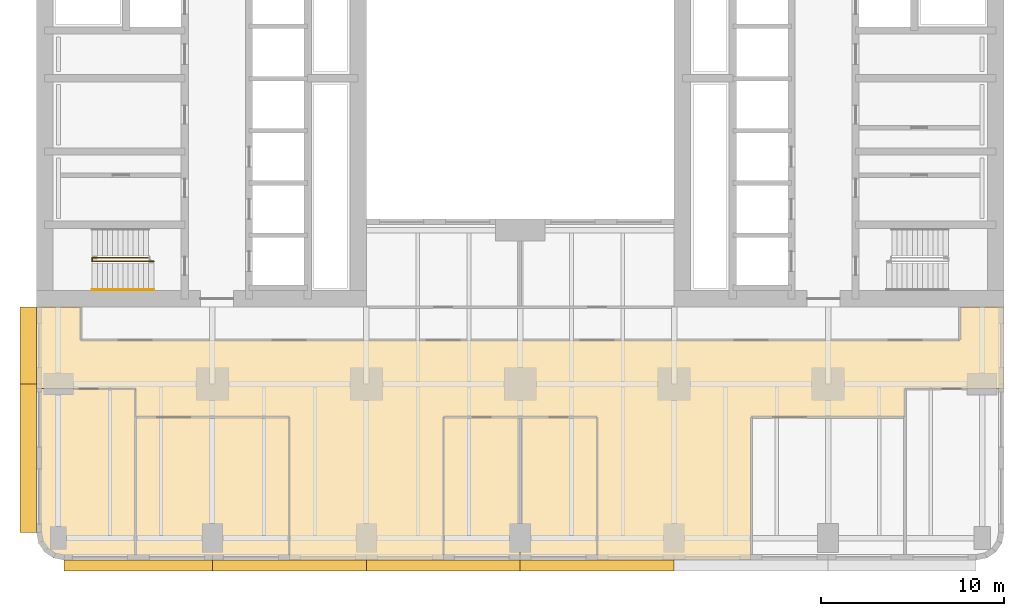
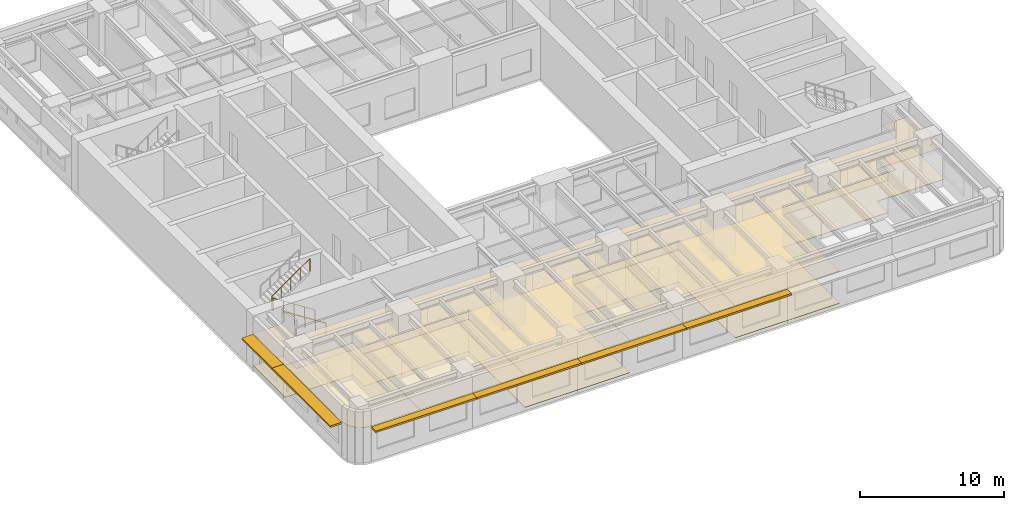
# One storey, part 9 of 14: 6 coverings, 6 shading devices, 2 railings.
"""IFC4 building model written with IfcOpenShell, lengths in metres."""

from ifc_helpers import new_model, si_unit, direction, frame, origin, origin_2d, place, context, subcontext, project, spatial, polyline, rectangle, circle, outline, extrude, material, layer, layer_set, type_object, element, save


model = new_model("IFC4")

# Units and contexts
model_context = context("Model", 3, precision=1e-05, world=origin(), true_north=direction((0.0, 1.0)))
body_context = subcontext(model_context, "Body", "Model", "MODEL_VIEW")
ifc_project = project(units=[si_unit("LENGTHUNIT", "METRE"), si_unit("AREAUNIT", "SQUARE_METRE"), si_unit("VOLUMEUNIT", "CUBIC_METRE"), si_unit("PLANEANGLEUNIT", "RADIAN"), si_unit("MASSUNIT", "GRAM", prefix="KILO")], contexts=[model_context])

# Site, building, storey
site_placement = place(None, origin())
site = spatial("IfcSite", under=ifc_project, at=site_placement, CompositionType="ELEMENT")
building_placement = place(site_placement, origin())
building = spatial("IfcBuilding", under=site, at=building_placement, Name="Claustro Exchange Tower", CompositionType="ELEMENT")
storey_placement = place(building_placement, frame((0.0, 0.0, 72.89990234375)))
storey = spatial("IfcBuildingStorey", under=building, at=storey_placement, Name="L16", CompositionType="ELEMENT", Elevation=72.89990234375)

# Coverings
ifc_material_1 = material(Name="Gypsum board ceiling", Category="gypsum board")
ifc_layer_1 = layer(ifc_material_1, 0.02490234375)
ifc_layer_set_1 = layer_set([ifc_layer_1], Name="Gypsum board ceiling")
covering_type_1 = type_object("IfcCoveringType", Name="CL2 plasterboard ceiling", PredefinedType="CEILING", material=ifc_layer_set_1)
covering_1_placement = place(storey_placement, frame((0.0, 0.0, 3.0)))
element("IfcCovering", 1, at=covering_1_placement, inside=storey, type_object=covering_type_1, Name="Ceiling CL2 L16-01", PredefinedType="CEILING", context=body_context, shape_type="SweptSolid", body=[
    extrude(outline(polyline([(4.199951171875, -1.199951171875), (12.60009765625, -1.199951171875), (12.60009765625, 6.60009765625), (4.199951171875, 6.60009765625), (4.199951171875, -1.199951171875)])), origin(), (0.0, 0.0, 1.0), 0.025146484375),
])
covering_2_placement = place(storey_placement, frame((0.0, 0.0, 3.0)))
element("IfcCovering", 2, at=covering_2_placement, inside=storey, type_object=covering_type_1, Name="Ceiling CL2 L16-02", PredefinedType="CEILING", context=body_context, shape_type="SweptSolid", body=[
    extrude(outline(polyline([(21.0, -1.199951171875), (25.199951171875, -1.199951171875), (25.199951171875, 6.60009765625), (21.0, 6.60009765625), (21.0, -1.199951171875)])), origin(), (0.0, 0.0, 1.0), 0.025146484375),
])
covering_3_placement = place(storey_placement, frame((0.0, 0.0, 3.0)))
element("IfcCovering", 3, at=covering_3_placement, inside=storey, type_object=covering_type_1, Name="Ceiling CL2 L16-03", PredefinedType="CEILING", context=body_context, shape_type="SweptSolid", body=[
    extrude(outline(polyline([(25.199951171875, -1.199951171875), (29.39990234375, -1.199951171875), (29.39990234375, 6.60009765625), (25.199951171875, 6.60009765625), (25.199951171875, -1.199951171875)])), origin(), (0.0, 0.0, 1.0), 0.025146484375),
])
covering_4_placement = place(storey_placement, frame((0.0, 0.0, 3.0)))
element("IfcCovering", 4, at=covering_4_placement, inside=storey, type_object=covering_type_1, Name="Ceiling CL2 L16-05", PredefinedType="CEILING", context=body_context, shape_type="SweptSolid", body=[
    extrude(outline(polyline([(-1.085693359375, -0.27392578125), (-0.7607421875, -0.7607421875), (-0.27392578125, -1.085693359375), (0.300048828125, -1.199951171875), (4.199951171875, -1.199951171875), (4.199951171875, 8.14990234375), (-1.199951171875, 8.14990234375), (-1.199951171875, 0.300048828125), (-1.085693359375, -0.27392578125)])), origin(), (0.0, 0.0, 1.0), 0.025146484375),
])
covering_5_placement = place(storey_placement, frame((0.0, 0.0, 3.0)))
element("IfcCovering", 5, at=covering_5_placement, inside=storey, type_object=covering_type_1, Name="Ceiling CL2 L16-07", PredefinedType="CEILING", context=body_context, shape_type="SweptSolid", body=[
    extrude(outline(polyline([(-1.199951171875, 12.60009765625), (-1.199951171875, 8.14990234375), (4.199951171875, 8.14990234375), (4.199951171875, 6.60009765625), (12.60009765625, 6.60009765625), (12.60009765625, -1.199951171875), (21.0, -1.199951171875), (21.0, 6.60009765625), (25.199951171875, 6.60009765625), (29.39990234375, 6.60009765625), (29.39990234375, -1.199951171875), (37.800048828125, -1.199951171875), (37.800048828125, 6.60009765625), (46.199951171875, 6.60009765625), (46.199951171875, 8.14990234375), (51.60009765625, 8.14990234375), (51.60009765625, 12.60009765625), (49.199951171875, 12.60009765625), (49.199951171875, 10.800048828125), (1.199951171875, 10.800048828125), (1.199951171875, 12.60009765625), (-1.199951171875, 12.60009765625)])), origin(), (0.0, 0.0, 1.0), 0.025146484375),
])

# Railings
ifc_material_2 = material(Name="Steel balustrade, painted", Category="steel")
railing_type_1 = type_object("IfcRailingType", Name="GR2 1100 steel stair guard", PredefinedType="GUARDRAIL", material=ifc_material_2)
railing_1_placement = place(storey_placement, frame((5.199951171875, 15.10009765625, 0.18017578125)))
element("IfcRailing", 6, at=railing_1_placement, inside=storey, type_object=railing_type_1, Name="Stair well guard GR2 stair STWA L16", PredefinedType="GUARDRAIL", context=body_context, shape_type="SweptSolid", body=[
    extrude(circle(Radius=0.02392578125, at=origin_2d()), frame((0.0, 0.0, 1.076171875), z_axis=(-0.841178475377, 0.0, 0.540757591313), x_axis=(0.0, -1.0, 0.0)), (0.0, 0.0, 1.0), 3.994140625),
    extrude(circle(Radius=0.02392578125, at=origin_2d()), frame((-3.35986328125, 0.0, 3.23583984375), z_axis=(0.0, 1.0, 0.0), x_axis=(-1.0, 0.0, 0.0)), (0.0, 0.0, 1.0), 0.199951171875),
    extrude(circle(Radius=0.02392578125, at=origin_2d()), frame((-3.35986328125, 0.199951171875, 3.23583984375), z_axis=(0.818728512145, 0.0, 0.574180828137), x_axis=(0.0, 1.0, 0.0)), (0.0, 0.0, 1.0), 3.76171875),
    extrude(circle(Radius=0.02099609375, at=origin_2d()), origin(), (0.0, 0.0, 1.0), 1.052001953125),
    extrude(circle(Radius=0.02099609375, at=origin_2d()), frame((-0.83984375, 0.0, 0.5400390625)), (0.0, 0.0, 1.0), 1.052001953125),
    extrude(circle(Radius=0.02099609375, at=origin_2d()), frame((-1.679931640625, 0.0, 1.080078125)), (0.0, 0.0, 1.0), 1.052001953125),
    extrude(circle(Radius=0.02099609375, at=origin_2d()), frame((-2.52001953125, 0.0, 1.619873046875)), (0.0, 0.0, 1.0), 1.052001953125),
    extrude(circle(Radius=0.02099609375, at=origin_2d()), frame((-3.35986328125, 0.0, 2.159912109375)), (0.0, 0.0, 1.0), 1.052001953125),
    extrude(circle(Radius=0.02099609375, at=origin_2d()), frame((-3.35986328125, 0.199951171875, 2.159912109375)), (0.0, 0.0, 1.0), 1.052001953125),
    extrude(circle(Radius=0.02099609375, at=origin_2d()), frame((-2.58984375, 0.199951171875, 2.699951171875)), (0.0, 0.0, 1.0), 1.052001953125),
    extrude(circle(Radius=0.02099609375, at=origin_2d()), frame((-1.81982421875, 0.199951171875, 3.23974609375)), (0.0, 0.0, 1.0), 1.052001953125),
    extrude(circle(Radius=0.02099609375, at=origin_2d()), frame((-1.050048828125, 0.199951171875, 3.77978515625)), (0.0, 0.0, 1.0), 1.052001953125),
    extrude(circle(Radius=0.02099609375, at=origin_2d()), frame((-0.280029296875, 0.199951171875, 4.31982421875)), (0.0, 0.0, 1.0), 1.052001953125),
])
ifc_material_3 = material(Name="Stainless steel tube", Category="steel")
railing_type_2 = type_object("IfcRailingType", Name="HR1 900 stair handrail", PredefinedType="HANDRAIL", material=ifc_material_3)
railing_2_placement = place(storey_placement, frame((5.199951171875, 13.56005859375, 0.18017578125)))
element("IfcRailing", 7, at=railing_2_placement, inside=storey, type_object=railing_type_2, Name="Handrail HR1 stair STWA L16", PredefinedType="HANDRAIL", context=body_context, shape_type="SweptSolid", body=[
    extrude(circle(Radius=0.02392578125, at=origin_2d()), frame((0.0, 0.0, 0.8759765625), z_axis=(-0.841178475377, 0.0, 0.540757591313), x_axis=(0.0, -1.0, 0.0)), (0.0, 0.0, 1.0), 3.994140625),
    extrude(circle(Radius=0.02099609375, at=origin_2d()), origin(), (0.0, 0.0, 1.0), 0.851806640625),
    extrude(circle(Radius=0.02099609375, at=origin_2d()), frame((-0.83984375, 0.0, 0.5400390625)), (0.0, 0.0, 1.0), 0.851806640625),
    extrude(circle(Radius=0.02099609375, at=origin_2d()), frame((-1.679931640625, 0.0, 1.080078125)), (0.0, 0.0, 1.0), 0.851806640625),
    extrude(circle(Radius=0.02099609375, at=origin_2d()), frame((-2.52001953125, 0.0, 1.619873046875)), (0.0, 0.0, 1.0), 0.851806640625),
    extrude(circle(Radius=0.02099609375, at=origin_2d()), frame((-3.35986328125, 0.0, 2.159912109375)), (0.0, 0.0, 1.0), 0.851806640625),
])

# Covering
ifc_material_4 = material(Name="Steel-encased raised floor panels on pedestals", Category="steel")
ifc_layer_2 = layer(ifc_material_4, 0.0400390625)
ifc_layer_set_2 = layer_set([ifc_layer_2], Name="Steel-encased raised floor panels on pedestals")
covering_type_2 = type_object("IfcCoveringType", Name="RF1 300 raised access floor", PredefinedType="FLOORING", material=ifc_layer_set_2)
covering_6_placement = place(storey_placement, frame((0.0, 0.0, 0.260009765625)))
element("IfcCovering", 8, at=covering_6_placement, inside=storey, type_object=covering_type_2, Name="Raised access floor RF1 L16-07", PredefinedType="FLOORING", context=body_context, shape_type="SweptSolid", body=[
    extrude(outline(polyline([(-1.199951171875, 12.60009765625), (-1.199951171875, 8.14990234375), (4.199951171875, 8.14990234375), (4.199951171875, 6.60009765625), (12.60009765625, 6.60009765625), (12.60009765625, -1.199951171875), (21.0, -1.199951171875), (21.0, 6.60009765625), (25.199951171875, 6.60009765625), (29.39990234375, 6.60009765625), (29.39990234375, -1.199951171875), (37.800048828125, -1.199951171875), (37.800048828125, 6.60009765625), (46.199951171875, 6.60009765625), (46.199951171875, 8.14990234375), (51.60009765625, 8.14990234375), (51.60009765625, 12.60009765625), (49.199951171875, 12.60009765625), (49.199951171875, 10.800048828125), (1.199951171875, 10.800048828125), (1.199951171875, 12.60009765625), (-1.199951171875, 12.60009765625)])), origin(), (0.0, 0.0, 1.0), 0.0400390625),
])

# Shading devices
ifc_material_5 = material(Name="Concrete HA-40 (C40/50), precast, white cement, acid-etched", Category="concrete")
ifc_layer_3 = layer(ifc_material_5, 0.14990234375)
ifc_layer_set_3 = layer_set([ifc_layer_3], Name="Concrete HA-40 (C40/50), precast, white cement, acid-etched")
shading_device_type_1 = type_object("IfcShadingDeviceType", Name="SS1 600 precast concrete SUNSHADE", PredefinedType="SHUTTER", material=ifc_layer_set_3)
for number, where, z_axis, x_axis, name in (
    (9, (29.39990234375, -1.5, 2.800048828125), (0.0, 0.0, 1.0), (-1.0, 0.0, 0.0), "Precast SUNSHADE SS1 L16"),
    (10, (21.0, -1.5, 2.800048828125), (0.0, 0.0, 1.0), (-1.0, 0.0, 0.0), "Precast SUNSHADE SS1 L16"),
    (11, (12.60009765625, -1.5, 2.800048828125), (0.0, 0.0, 1.0), (-1.0, 0.0, 0.0), "Precast SUNSHADE SS1 L16"),
):
    element("IfcShadingDevice", number, at=place(storey_placement, frame(where, z_axis=z_axis, x_axis=x_axis)), inside=storey, type_object=shading_device_type_1, Name=name, PredefinedType="SHUTTER", context=body_context, shape_type="SweptSolid", body=[
        extrude(rectangle(XDim=8.39990234375, YDim=0.60009765625, at=origin_2d()), origin(), (0.0, 0.0, 1.0), 0.14990234375),
    ])
shading_device_1_placement = place(storey_placement, frame((4.357421875, -1.5, 2.800048828125), z_axis=(0.0, 0.0, 1.0), x_axis=(-1.0, 0.0, 0.0)))
element("IfcShadingDevice", 12, at=shading_device_1_placement, inside=storey, type_object=shading_device_type_1, Name="Precast SUNSHADE SS1 L16", PredefinedType="SHUTTER", context=body_context, shape_type="SweptSolid", body=[
    extrude(rectangle(XDim=8.085205078125, YDim=0.60009765625, at=origin_2d()), origin(), (0.0, 0.0, 1.0), 0.14990234375),
])
ifc_material_6 = material(Name="Concrete HA-40 (C40/50), precast, white cement, acid-etched", Category="concrete")
ifc_layer_4 = layer(ifc_material_6, 0.14990234375)
ifc_layer_set_4 = layer_set([ifc_layer_4], Name="Concrete HA-40 (C40/50), precast, white cement, acid-etched")
shading_device_type_2 = type_object("IfcShadingDeviceType", Name="SS2 900 precast concrete SUNSHADE", PredefinedType="SHUTTER", material=ifc_layer_set_4)
shading_device_2_placement = place(storey_placement, frame((-1.64990234375, 4.357421875, 2.800048828125), z_axis=(0.0, 0.0, 1.0), x_axis=(0.0, 1.0, 0.0)))
element("IfcShadingDevice", 13, at=shading_device_2_placement, inside=storey, type_object=shading_device_type_2, Name="Precast SUNSHADE SS2 L16", PredefinedType="SHUTTER", context=body_context, shape_type="SweptSolid", body=[
    extrude(rectangle(XDim=8.085205078125, YDim=0.89990234375, at=origin_2d()), origin(), (0.0, 0.0, 1.0), 0.14990234375),
])
shading_device_3_placement = place(storey_placement, frame((-1.64990234375, 10.5, 2.800048828125), z_axis=(0.0, 0.0, 1.0), x_axis=(0.0, 1.0, 0.0)))
element("IfcShadingDevice", 14, at=shading_device_3_placement, inside=storey, type_object=shading_device_type_2, Name="Precast SUNSHADE SS2 L16", PredefinedType="SHUTTER", context=body_context, shape_type="SweptSolid", body=[
    extrude(rectangle(XDim=4.199951171875, YDim=0.89990234375, at=origin_2d()), origin(), (0.0, 0.0, 1.0), 0.14990234375),
])

save(model, "model.ifc")
